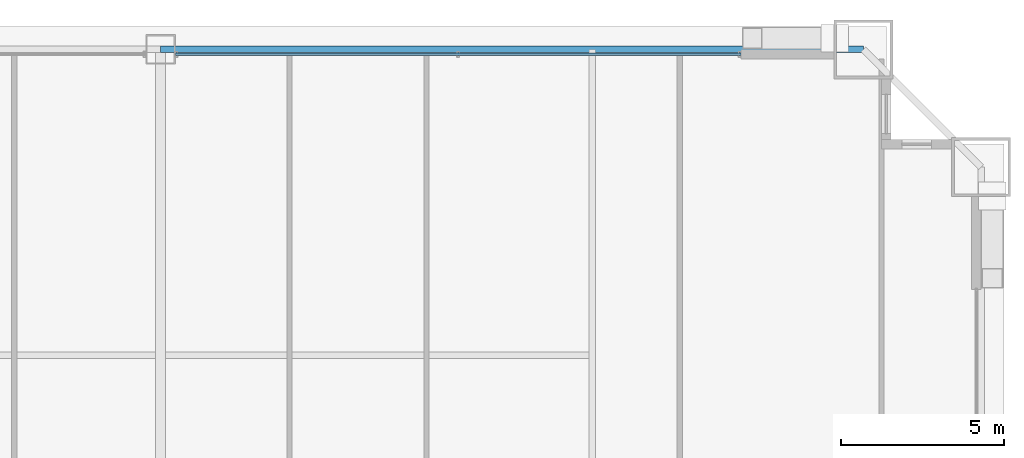
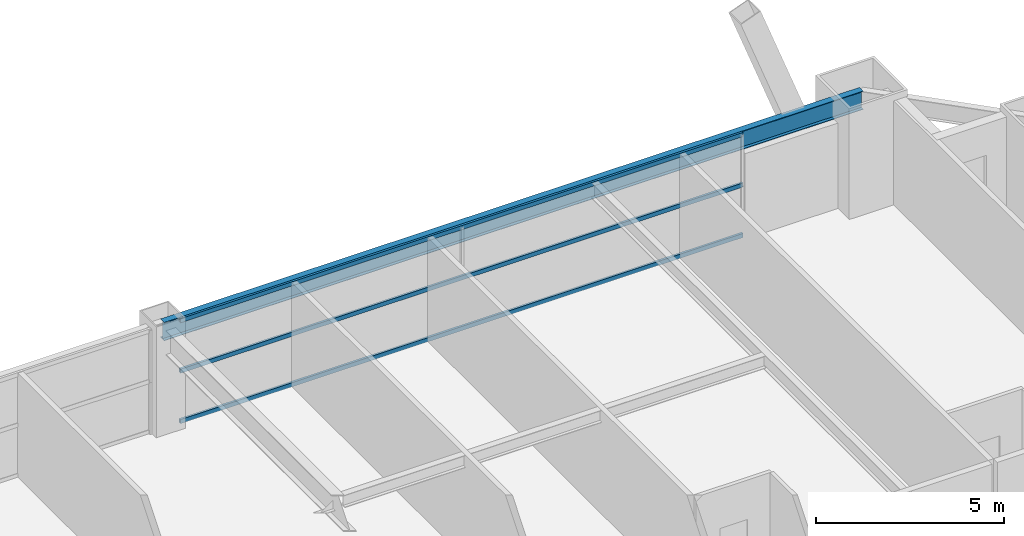
# One storey, part 36 of 43: 3 members, 1 beam, 1 element without a shape of its own.
"""IFC4 building model written with IfcOpenShell, lengths in metres."""

from ifc_helpers import new_model, si_unit, direction, frame, origin, origin_2d, place, context, subcontext, project, spatial, hollow_rectangle, i_section, extrude, source, transform, mapped, material, layer, layer_set, material_profile, profile_set, type_object, element, aggregate, save


model = new_model("IFC4")

# Units and contexts
model_context = context("Model", 3, precision=1e-05, world=origin(), true_north=direction((0.0, 1.0)))
body_context = subcontext(model_context, "Body", "Model", "MODEL_VIEW")
ifc_project = project(units=[si_unit("LENGTHUNIT", "METRE"), si_unit("AREAUNIT", "SQUARE_METRE"), si_unit("VOLUMEUNIT", "CUBIC_METRE"), si_unit("PLANEANGLEUNIT", "RADIAN"), si_unit("MASSUNIT", "GRAM", prefix="KILO"), si_unit("THERMODYNAMICTEMPERATUREUNIT", "KELVIN"), si_unit("POWERUNIT", "WATT")], contexts=[model_context])

# Site, building, storey
site_placement = place(None, origin())
site = spatial("IfcSite", under=ifc_project, at=site_placement, CompositionType="ELEMENT")
building_placement = place(site_placement, origin())
building = spatial("IfcBuilding", under=site, at=building_placement, Name="Yuzanri Waterfront Tower", CompositionType="ELEMENT")
storey_placement = place(building_placement, frame((0.0, 0.0, 53.199951171875)))
storey = spatial("IfcBuildingStorey", under=building, at=storey_placement, Name="L13", CompositionType="ELEMENT", Elevation=53.199951171875)

# Beam
ifc_material_1 = material(Name="Steel Q355B", Category="steel")
ifc_material_profile_1 = material_profile(ifc_material_1, i_section(OverallWidth=0.199951171875, OverallDepth=0.60009765625, WebThickness=0.010986328125, FlangeThickness=0.01708984375, at=origin_2d()), Name="HN 600x200x11x17")
ifc_profile_set_1 = profile_set([ifc_material_profile_1], Name="Steel Q355B")
beam_type = type_object("IfcBeamType", Name="Perimeter Spandrel Q355B HN 600x200", PredefinedType="SPANDREL", material=ifc_profile_set_1)
shared_shape_1 = source(origin(), body_context, "Body", "SweptSolid", [
    extrude(i_section(OverallWidth=0.199951171875, OverallDepth=0.60009765625, WebThickness=0.010986328125, FlangeThickness=0.01708984375, at=origin_2d()), origin(), (0.0, 0.0, 1.0), 21.5),
])
beam_placement = place(storey_placement, frame((58.5, 50.89990234375, 3.080078125), z_axis=(-1.0, 0.0, 0.0), x_axis=(0.0, -1.0, 0.0)))
element("IfcBeam", 1, at=beam_placement, inside=storey, type_object=beam_type, Name="L13 Perimeter Spandrel N3-N2", PredefinedType="SPANDREL", context=body_context, shape_type="MappedRepresentation", body=[
    mapped(shared_shape_1, transform((0.0, 0.0, 0.0), scale=1.0)),
])

# Curtain wall, members
ifc_material_2 = material(Name="Anodized Architectural Bronze", Category="metal")
ifc_layer = layer(ifc_material_2, 0.159912109375)
ifc_layer_set = layer_set([ifc_layer], Name="Anodized Architectural Bronze")
curtain_wall_type = type_object("IfcCurtainWallType", Name="Anodized Bronze Hotel Lower-Tier Recessed Unitized Curtain Wall 8100", PredefinedType="NOTDEFINED", material=ifc_layer_set)
curtain_wall_placement = place(storey_placement, origin())
curtain_wall = element("IfcCurtainWall", 2, at=curtain_wall_placement, inside=storey, type_object=curtain_wall_type, Name="L13 Curtain Wall CW-L13-NR", PredefinedType="NOTDEFINED")
ifc_material_3 = material(Name="Anodized Architectural Bronze", Category="metal")
ifc_material_profile_2 = material_profile(ifc_material_3, hollow_rectangle(XDim=0.070068359375, YDim=0.135009765625, WallThickness=0.00341796875, at=origin_2d()), Name="CWT 70x135")
ifc_profile_set_2 = profile_set([ifc_material_profile_2], Name="Anodized Architectural Bronze")
member_type = type_object("IfcMemberType", Name="Anodized Bronze Standard Curtain-Wall Transom 70x135", PredefinedType="USERDEFINED", material=ifc_profile_set_2)
shared_shape_2 = source(origin(), body_context, "Body", "SweptSolid", [
    extrude(hollow_rectangle(XDim=0.070068359375, YDim=0.135009765625, WallThickness=0.00341796875, at=origin_2d()), origin(), (0.0, 0.0, 1.0), 17.300048828125),
])
member_1_placement = place(storey_placement, frame((37.449951171875, 50.75, 0.050048828125), z_axis=(1.0, 0.0, 0.0), x_axis=(0.0, 1.0, 0.0)))
member_1 = element("IfcMember", 3, at=member_1_placement, type_object=member_type, Name="CW-L13-NR Transom 1", ObjectType="TRANSOM", PredefinedType="USERDEFINED", context=body_context, shape_type="MappedRepresentation", body=[
    mapped(shared_shape_2, transform((0.0, 0.0, 0.0), scale=1.0)),
])
member_2_placement = place(storey_placement, frame((37.449951171875, 50.75, 1.68994140625), z_axis=(1.0, 0.0, 0.0), x_axis=(0.0, 1.0, 0.0)))
member_2 = element("IfcMember", 4, at=member_2_placement, type_object=member_type, Name="CW-L13-NR Transom 2", ObjectType="TRANSOM", PredefinedType="USERDEFINED", context=body_context, shape_type="MappedRepresentation", body=[
    mapped(shared_shape_2, transform((0.0, 0.0, 0.0), scale=1.0)),
])
member_3_placement = place(storey_placement, frame((37.449951171875, 50.75, 3.330078125), z_axis=(1.0, 0.0, 0.0), x_axis=(0.0, 1.0, 0.0)))
member_3 = element("IfcMember", 5, at=member_3_placement, type_object=member_type, Name="CW-L13-NR Transom 3", ObjectType="TRANSOM", PredefinedType="USERDEFINED", context=body_context, shape_type="MappedRepresentation", body=[
    mapped(shared_shape_2, transform((0.0, 0.0, 0.0), scale=1.0)),
])
aggregate(curtain_wall, [member_1, member_2, member_3])

save(model, "model.ifc")
